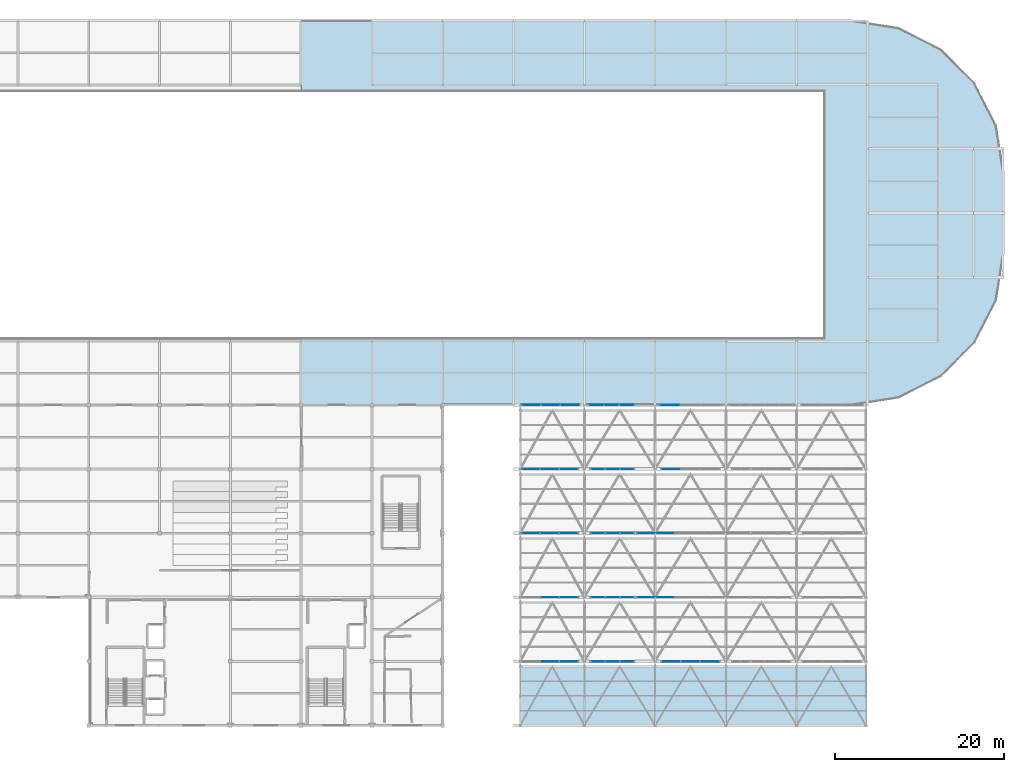
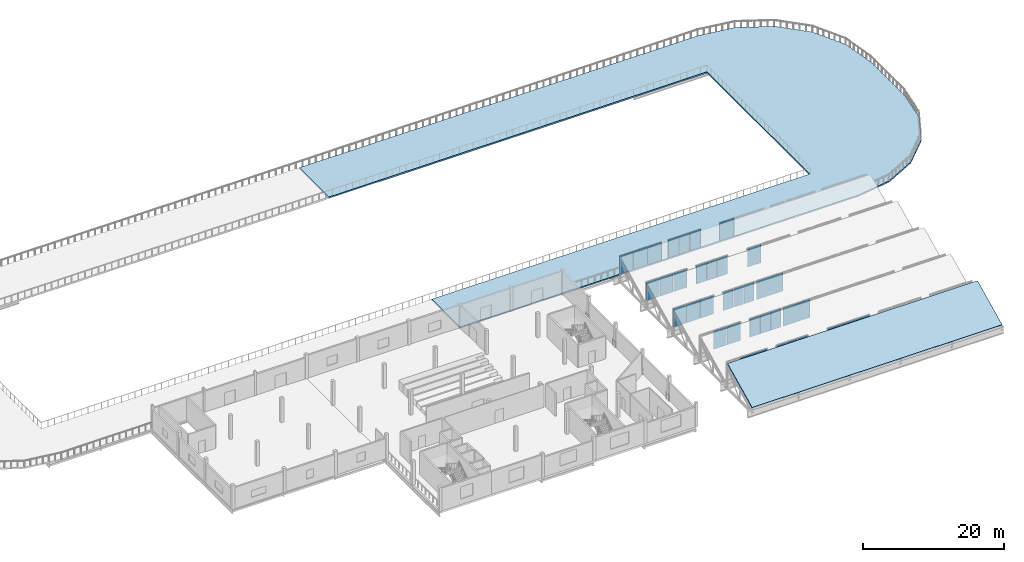
# One storey, part 40 of 57: 35 plates, 2 slabs, 15 elements without a shape of their own.
"""IFC4 building model written with IfcOpenShell, lengths in metres."""

from ifc_helpers import new_model, si_unit, direction, frame, origin, origin_2d, place, context, subcontext, project, spatial, polyline, rectangle, outline, extrude, material, layer, layer_set, type_object, element, aggregate, save


model = new_model("IFC4")

# Units and contexts
model_context = context("Model", 3, precision=1e-05, world=origin(), true_north=direction((0.0, 1.0)))
body_context = subcontext(model_context, "Body", "Model", "MODEL_VIEW")
ifc_project = project(units=[si_unit("LENGTHUNIT", "METRE"), si_unit("AREAUNIT", "SQUARE_METRE"), si_unit("VOLUMEUNIT", "CUBIC_METRE"), si_unit("PLANEANGLEUNIT", "RADIAN"), si_unit("MASSUNIT", "GRAM", prefix="KILO")], contexts=[model_context])

# Site, building, storey
site_placement = place(None, origin())
site = spatial("IfcSite", under=ifc_project, at=site_placement, CompositionType="ELEMENT")
building_placement = place(site_placement, origin())
building = spatial("IfcBuilding", under=site, at=building_placement, Name="Zuvorla Pavilion Media Centre", CompositionType="ELEMENT")
storey_placement = place(building_placement, frame((0.0, 0.0, 18.0)))
storey = spatial("IfcBuildingStorey", under=building, at=storey_placement, Name="L04", CompositionType="ELEMENT", Elevation=18.0)

# Curtain wall, plates
ifc_material_1 = material(Name="Unitised anodised aluminium and solar glass curtain wall", Category="aluminium")
curtain_wall_type_1 = type_object("IfcCurtainWallType", Name="CW-SYS-90", PredefinedType="USERDEFINED", material=ifc_material_1)
curtain_wall_1_placement = place(storey_placement, origin())
curtain_wall_1 = element("IfcCurtainWall", 1, at=curtain_wall_1_placement, inside=storey, type_object=curtain_wall_type_1, Name="L04 curtain wall CW90 224", ObjectType="CURTAIN WALL", PredefinedType="USERDEFINED")
ifc_material_2 = material(Name="Triple acoustic broadcast glazing", Category="glass")
ifc_layer_1 = layer(ifc_material_2, 0.0419921875)
ifc_layer_set_1 = layer_set([ifc_layer_1], Name="Triple acoustic broadcast glazing")
plate_type = type_object("IfcPlateType", Name="CW-PNL-42", PredefinedType="CURTAIN_PANEL", material=ifc_layer_set_1)
plate_1_placement = place(storey_placement, frame((121.5078125, 13.60009765625, 0.0302734375), z_axis=(0.0, 0.0, 1.0), x_axis=(1.0, 0.0, 0.0)))
plate_1 = element("IfcPlate", 2, at=plate_1_placement, type_object=plate_type, Name="CW90 panel 2.1", PredefinedType="CURTAIN_PANEL", context=body_context, shape_type="SweptSolid", body=[
    extrude(rectangle(XDim=2.171875, YDim=0.0419921875, at=origin_2d()), origin(), (0.0, 0.0, 1.0), 3.159912109375),
])
plate_2_placement = place(storey_placement, frame((123.73974609375, 13.60009765625, 0.0302734375), z_axis=(0.0, 0.0, 1.0), x_axis=(1.0, 0.0, 0.0)))
plate_2 = element("IfcPlate", 3, at=plate_2_placement, type_object=plate_type, Name="CW90 panel 3.1", PredefinedType="CURTAIN_PANEL", context=body_context, shape_type="SweptSolid", body=[
    extrude(rectangle(XDim=2.171875, YDim=0.0419921875, at=origin_2d()), origin(), (0.0, 0.0, 1.0), 3.159912109375),
])
aggregate(curtain_wall_1, [plate_1, plate_2])

curtain_wall_type_2 = type_object("IfcCurtainWallType", Name="CW-SYS-91", PredefinedType="USERDEFINED", material=ifc_material_1)
curtain_wall_2_placement = place(storey_placement, origin())
curtain_wall_2 = element("IfcCurtainWall", 4, at=curtain_wall_2_placement, inside=storey, type_object=curtain_wall_type_2, Name="L04 curtain wall CW91 225", ObjectType="CURTAIN WALL", PredefinedType="USERDEFINED")
plate_3_placement = place(storey_placement, frame((127.20458984375, 13.60009765625, 0.0302734375), z_axis=(0.0, 0.0, 1.0), x_axis=(1.0, 0.0, 0.0)))
plate_3 = element("IfcPlate", 5, at=plate_3_placement, type_object=plate_type, Name="CW91 panel 1.1", PredefinedType="CURTAIN_PANEL", context=body_context, shape_type="SweptSolid", body=[
    extrude(rectangle(XDim=1.660888671875, YDim=0.0419921875, at=origin_2d()), origin(), (0.0, 0.0, 1.0), 3.159912109375),
])
plate_4_placement = place(storey_placement, frame((128.925537109375, 13.60009765625, 0.0302734375), z_axis=(0.0, 0.0, 1.0), x_axis=(1.0, 0.0, 0.0)))
plate_4 = element("IfcPlate", 6, at=plate_4_placement, type_object=plate_type, Name="CW91 panel 2.1", PredefinedType="CURTAIN_PANEL", context=body_context, shape_type="SweptSolid", body=[
    extrude(rectangle(XDim=1.660888671875, YDim=0.0419921875, at=origin_2d()), origin(), (0.0, 0.0, 1.0), 3.159912109375),
])
plate_5_placement = place(storey_placement, frame((130.646240234375, 13.60009765625, 0.0302734375), z_axis=(0.0, 0.0, 1.0), x_axis=(1.0, 0.0, 0.0)))
plate_5 = element("IfcPlate", 7, at=plate_5_placement, type_object=plate_type, Name="CW91 panel 3.1", PredefinedType="CURTAIN_PANEL", context=body_context, shape_type="SweptSolid", body=[
    extrude(rectangle(XDim=1.660888671875, YDim=0.0419921875, at=origin_2d()), origin(), (0.0, 0.0, 1.0), 3.159912109375),
])
aggregate(curtain_wall_2, [plate_3, plate_4, plate_5])

curtain_wall_type_3 = type_object("IfcCurtainWallType", Name="CW-SYS-92", PredefinedType="USERDEFINED", material=ifc_material_1)
curtain_wall_3_placement = place(storey_placement, origin())
curtain_wall_3 = element("IfcCurtainWall", 8, at=curtain_wall_3_placement, inside=storey, type_object=curtain_wall_type_3, Name="L04 curtain wall CW92 226", ObjectType="CURTAIN WALL", PredefinedType="USERDEFINED")
plate_6_placement = place(storey_placement, frame((135.896240234375, 13.60009765625, 0.0302734375), z_axis=(0.0, 0.0, 1.0), x_axis=(1.0, 0.0, 0.0)))
plate_6 = element("IfcPlate", 9, at=plate_6_placement, type_object=plate_type, Name="CW92 panel 1.1", PredefinedType="CURTAIN_PANEL", context=body_context, shape_type="SweptSolid", body=[
    extrude(rectangle(XDim=2.243896484375, YDim=0.0419921875, at=origin_2d()), origin(), (0.0, 0.0, 1.0), 3.159912109375),
])
plate_7_placement = place(storey_placement, frame((138.199951171875, 13.60009765625, 0.0302734375), z_axis=(0.0, 0.0, 1.0), x_axis=(1.0, 0.0, 0.0)))
plate_7 = element("IfcPlate", 10, at=plate_7_placement, type_object=plate_type, Name="CW92 panel 2.1", PredefinedType="CURTAIN_PANEL", context=body_context, shape_type="SweptSolid", body=[
    extrude(rectangle(XDim=2.243896484375, YDim=0.0419921875, at=origin_2d()), origin(), (0.0, 0.0, 1.0), 3.159912109375),
])
plate_8_placement = place(storey_placement, frame((140.50390625, 13.60009765625, 0.0302734375), z_axis=(0.0, 0.0, 1.0), x_axis=(1.0, 0.0, 0.0)))
plate_8 = element("IfcPlate", 11, at=plate_8_placement, type_object=plate_type, Name="CW92 panel 3.1", PredefinedType="CURTAIN_PANEL", context=body_context, shape_type="SweptSolid", body=[
    extrude(rectangle(XDim=2.243896484375, YDim=0.0419921875, at=origin_2d()), origin(), (0.0, 0.0, 1.0), 3.159912109375),
])
aggregate(curtain_wall_3, [plate_6, plate_7, plate_8])

curtain_wall_4_placement = place(storey_placement, origin())
curtain_wall_4 = element("IfcCurtainWall", 12, at=curtain_wall_4_placement, inside=storey, type_object=curtain_wall_type_1, Name="L04 curtain wall CW90 230", ObjectType="CURTAIN WALL", PredefinedType="USERDEFINED")
plate_9_placement = place(storey_placement, frame((121.5078125, 21.199951171875, 0.0302734375), z_axis=(0.0, 0.0, 1.0), x_axis=(1.0, 0.0, 0.0)))
plate_9 = element("IfcPlate", 13, at=plate_9_placement, type_object=plate_type, Name="CW90 panel 2.1", PredefinedType="CURTAIN_PANEL", context=body_context, shape_type="SweptSolid", body=[
    extrude(rectangle(XDim=2.171875, YDim=0.0419921875, at=origin_2d()), origin(), (0.0, 0.0, 1.0), 3.159912109375),
])
plate_10_placement = place(storey_placement, frame((123.73974609375, 21.199951171875, 0.0302734375), z_axis=(0.0, 0.0, 1.0), x_axis=(1.0, 0.0, 0.0)))
plate_10 = element("IfcPlate", 14, at=plate_10_placement, type_object=plate_type, Name="CW90 panel 3.1", PredefinedType="CURTAIN_PANEL", context=body_context, shape_type="SweptSolid", body=[
    extrude(rectangle(XDim=2.171875, YDim=0.0419921875, at=origin_2d()), origin(), (0.0, 0.0, 1.0), 3.159912109375),
])
aggregate(curtain_wall_4, [plate_9, plate_10])

curtain_wall_5_placement = place(storey_placement, origin())
curtain_wall_5 = element("IfcCurtainWall", 15, at=curtain_wall_5_placement, inside=storey, type_object=curtain_wall_type_2, Name="L04 curtain wall CW91 231", ObjectType="CURTAIN WALL", PredefinedType="USERDEFINED")
plate_11_placement = place(storey_placement, frame((127.20458984375, 21.199951171875, 0.0302734375), z_axis=(0.0, 0.0, 1.0), x_axis=(1.0, 0.0, 0.0)))
plate_11 = element("IfcPlate", 16, at=plate_11_placement, type_object=plate_type, Name="CW91 panel 1.1", PredefinedType="CURTAIN_PANEL", context=body_context, shape_type="SweptSolid", body=[
    extrude(rectangle(XDim=1.660888671875, YDim=0.0419921875, at=origin_2d()), origin(), (0.0, 0.0, 1.0), 3.159912109375),
])
plate_12_placement = place(storey_placement, frame((128.925537109375, 21.199951171875, 0.0302734375), z_axis=(0.0, 0.0, 1.0), x_axis=(1.0, 0.0, 0.0)))
plate_12 = element("IfcPlate", 17, at=plate_12_placement, type_object=plate_type, Name="CW91 panel 2.1", PredefinedType="CURTAIN_PANEL", context=body_context, shape_type="SweptSolid", body=[
    extrude(rectangle(XDim=1.660888671875, YDim=0.0419921875, at=origin_2d()), origin(), (0.0, 0.0, 1.0), 3.159912109375),
])
plate_13_placement = place(storey_placement, frame((130.646240234375, 21.199951171875, 0.0302734375), z_axis=(0.0, 0.0, 1.0), x_axis=(1.0, 0.0, 0.0)))
plate_13 = element("IfcPlate", 18, at=plate_13_placement, type_object=plate_type, Name="CW91 panel 3.1", PredefinedType="CURTAIN_PANEL", context=body_context, shape_type="SweptSolid", body=[
    extrude(rectangle(XDim=1.660888671875, YDim=0.0419921875, at=origin_2d()), origin(), (0.0, 0.0, 1.0), 3.159912109375),
])
aggregate(curtain_wall_5, [plate_11, plate_12, plate_13])

# Curtain wall, plate
curtain_wall_type_4 = type_object("IfcCurtainWallType", Name="CW-SYS-95", PredefinedType="USERDEFINED", material=ifc_material_1)
curtain_wall_6_placement = place(storey_placement, origin())
curtain_wall_6 = element("IfcCurtainWall", 19, at=curtain_wall_6_placement, inside=storey, type_object=curtain_wall_type_4, Name="L04 curtain wall CW95 232", ObjectType="CURTAIN WALL", PredefinedType="USERDEFINED")
plate_14_placement = place(storey_placement, frame((134.051025390625, 21.199951171875, 0.0302734375), z_axis=(0.0, 0.0, 1.0), x_axis=(1.0, 0.0, 0.0)))
plate_14 = element("IfcPlate", 20, at=plate_14_placement, type_object=plate_type, Name="CW95 panel 1.1", PredefinedType="CURTAIN_PANEL", context=body_context, shape_type="SweptSolid", body=[
    extrude(rectangle(XDim=4.388916015625, YDim=0.0419921875, at=origin_2d()), origin(), (0.0, 0.0, 1.0), 3.159912109375),
])
aggregate(curtain_wall_6, [plate_14])

# Curtain wall, plates
curtain_wall_7_placement = place(storey_placement, origin())
curtain_wall_7 = element("IfcCurtainWall", 21, at=curtain_wall_7_placement, inside=storey, type_object=curtain_wall_type_1, Name="L04 curtain wall CW90 235", ObjectType="CURTAIN WALL", PredefinedType="USERDEFINED")
plate_15_placement = place(storey_placement, frame((119.27587890625, 28.800048828125, 0.0302734375), z_axis=(0.0, 0.0, 1.0), x_axis=(1.0, 0.0, 0.0)))
plate_15 = element("IfcPlate", 22, at=plate_15_placement, type_object=plate_type, Name="CW90 panel 1.1", PredefinedType="CURTAIN_PANEL", context=body_context, shape_type="SweptSolid", body=[
    extrude(rectangle(XDim=2.171875, YDim=0.0419921875, at=origin_2d()), origin(), (0.0, 0.0, 1.0), 3.159912109375),
])
plate_16_placement = place(storey_placement, frame((121.5078125, 28.800048828125, 0.0302734375), z_axis=(0.0, 0.0, 1.0), x_axis=(1.0, 0.0, 0.0)))
plate_16 = element("IfcPlate", 23, at=plate_16_placement, type_object=plate_type, Name="CW90 panel 2.1", PredefinedType="CURTAIN_PANEL", context=body_context, shape_type="SweptSolid", body=[
    extrude(rectangle(XDim=2.171875, YDim=0.0419921875, at=origin_2d()), origin(), (0.0, 0.0, 1.0), 3.159912109375),
])
plate_17_placement = place(storey_placement, frame((123.73974609375, 28.800048828125, 0.0302734375), z_axis=(0.0, 0.0, 1.0), x_axis=(1.0, 0.0, 0.0)))
plate_17 = element("IfcPlate", 24, at=plate_17_placement, type_object=plate_type, Name="CW90 panel 3.1", PredefinedType="CURTAIN_PANEL", context=body_context, shape_type="SweptSolid", body=[
    extrude(rectangle(XDim=2.171875, YDim=0.0419921875, at=origin_2d()), origin(), (0.0, 0.0, 1.0), 3.159912109375),
])
aggregate(curtain_wall_7, [plate_15, plate_16, plate_17])

curtain_wall_8_placement = place(storey_placement, origin())
curtain_wall_8 = element("IfcCurtainWall", 25, at=curtain_wall_8_placement, inside=storey, type_object=curtain_wall_type_2, Name="L04 curtain wall CW91 236", ObjectType="CURTAIN WALL", PredefinedType="USERDEFINED")
plate_18_placement = place(storey_placement, frame((127.20458984375, 28.800048828125, 0.0302734375), z_axis=(0.0, 0.0, 1.0), x_axis=(1.0, 0.0, 0.0)))
plate_18 = element("IfcPlate", 26, at=plate_18_placement, type_object=plate_type, Name="CW91 panel 1.1", PredefinedType="CURTAIN_PANEL", context=body_context, shape_type="SweptSolid", body=[
    extrude(rectangle(XDim=1.660888671875, YDim=0.0419921875, at=origin_2d()), origin(), (0.0, 0.0, 1.0), 3.159912109375),
])
plate_19_placement = place(storey_placement, frame((128.925537109375, 28.800048828125, 0.0302734375), z_axis=(0.0, 0.0, 1.0), x_axis=(1.0, 0.0, 0.0)))
plate_19 = element("IfcPlate", 27, at=plate_19_placement, type_object=plate_type, Name="CW91 panel 2.1", PredefinedType="CURTAIN_PANEL", context=body_context, shape_type="SweptSolid", body=[
    extrude(rectangle(XDim=1.660888671875, YDim=0.0419921875, at=origin_2d()), origin(), (0.0, 0.0, 1.0), 3.159912109375),
])
plate_20_placement = place(storey_placement, frame((130.646240234375, 28.800048828125, 0.0302734375), z_axis=(0.0, 0.0, 1.0), x_axis=(1.0, 0.0, 0.0)))
plate_20 = element("IfcPlate", 28, at=plate_20_placement, type_object=plate_type, Name="CW91 panel 3.1", PredefinedType="CURTAIN_PANEL", context=body_context, shape_type="SweptSolid", body=[
    extrude(rectangle(XDim=1.660888671875, YDim=0.0419921875, at=origin_2d()), origin(), (0.0, 0.0, 1.0), 3.159912109375),
])
aggregate(curtain_wall_8, [plate_18, plate_19, plate_20])

# Curtain wall, plate
curtain_wall_9_placement = place(storey_placement, origin())
curtain_wall_9 = element("IfcCurtainWall", 29, at=curtain_wall_9_placement, inside=storey, type_object=curtain_wall_type_4, Name="L04 curtain wall CW95 237", ObjectType="CURTAIN WALL", PredefinedType="USERDEFINED")
plate_21_placement = place(storey_placement, frame((134.051025390625, 28.800048828125, 0.0302734375), z_axis=(0.0, 0.0, 1.0), x_axis=(1.0, 0.0, 0.0)))
plate_21 = element("IfcPlate", 30, at=plate_21_placement, type_object=plate_type, Name="CW95 panel 1.1", PredefinedType="CURTAIN_PANEL", context=body_context, shape_type="SweptSolid", body=[
    extrude(rectangle(XDim=4.388916015625, YDim=0.0419921875, at=origin_2d()), origin(), (0.0, 0.0, 1.0), 3.159912109375),
])
aggregate(curtain_wall_9, [plate_21])

# Curtain wall, plates
curtain_wall_10_placement = place(storey_placement, origin())
curtain_wall_10 = element("IfcCurtainWall", 31, at=curtain_wall_10_placement, inside=storey, type_object=curtain_wall_type_1, Name="L04 curtain wall CW90 240", ObjectType="CURTAIN WALL", PredefinedType="USERDEFINED")
plate_22_placement = place(storey_placement, frame((119.27587890625, 36.39990234375, 0.0302734375), z_axis=(0.0, 0.0, 1.0), x_axis=(1.0, 0.0, 0.0)))
plate_22 = element("IfcPlate", 32, at=plate_22_placement, type_object=plate_type, Name="CW90 panel 1.1", PredefinedType="CURTAIN_PANEL", context=body_context, shape_type="SweptSolid", body=[
    extrude(rectangle(XDim=2.171875, YDim=0.0419921875, at=origin_2d()), origin(), (0.0, 0.0, 1.0), 3.159912109375),
])
plate_23_placement = place(storey_placement, frame((121.5078125, 36.39990234375, 0.0302734375), z_axis=(0.0, 0.0, 1.0), x_axis=(1.0, 0.0, 0.0)))
plate_23 = element("IfcPlate", 33, at=plate_23_placement, type_object=plate_type, Name="CW90 panel 2.1", PredefinedType="CURTAIN_PANEL", context=body_context, shape_type="SweptSolid", body=[
    extrude(rectangle(XDim=2.171875, YDim=0.0419921875, at=origin_2d()), origin(), (0.0, 0.0, 1.0), 3.159912109375),
])
plate_24_placement = place(storey_placement, frame((123.73974609375, 36.39990234375, 0.0302734375), z_axis=(0.0, 0.0, 1.0), x_axis=(1.0, 0.0, 0.0)))
plate_24 = element("IfcPlate", 34, at=plate_24_placement, type_object=plate_type, Name="CW90 panel 3.1", PredefinedType="CURTAIN_PANEL", context=body_context, shape_type="SweptSolid", body=[
    extrude(rectangle(XDim=2.171875, YDim=0.0419921875, at=origin_2d()), origin(), (0.0, 0.0, 1.0), 3.159912109375),
])
aggregate(curtain_wall_10, [plate_22, plate_23, plate_24])

curtain_wall_11_placement = place(storey_placement, origin())
curtain_wall_11 = element("IfcCurtainWall", 35, at=curtain_wall_11_placement, inside=storey, type_object=curtain_wall_type_2, Name="L04 curtain wall CW91 241", ObjectType="CURTAIN WALL", PredefinedType="USERDEFINED")
plate_25_placement = place(storey_placement, frame((127.20458984375, 36.39990234375, 0.0302734375), z_axis=(0.0, 0.0, 1.0), x_axis=(1.0, 0.0, 0.0)))
plate_25 = element("IfcPlate", 36, at=plate_25_placement, type_object=plate_type, Name="CW91 panel 1.1", PredefinedType="CURTAIN_PANEL", context=body_context, shape_type="SweptSolid", body=[
    extrude(rectangle(XDim=1.660888671875, YDim=0.0419921875, at=origin_2d()), origin(), (0.0, 0.0, 1.0), 3.159912109375),
])
plate_26_placement = place(storey_placement, frame((128.925537109375, 36.39990234375, 0.0302734375), z_axis=(0.0, 0.0, 1.0), x_axis=(1.0, 0.0, 0.0)))
plate_26 = element("IfcPlate", 37, at=plate_26_placement, type_object=plate_type, Name="CW91 panel 2.1", PredefinedType="CURTAIN_PANEL", context=body_context, shape_type="SweptSolid", body=[
    extrude(rectangle(XDim=1.660888671875, YDim=0.0419921875, at=origin_2d()), origin(), (0.0, 0.0, 1.0), 3.159912109375),
])
plate_27_placement = place(storey_placement, frame((130.646240234375, 36.39990234375, 0.0302734375), z_axis=(0.0, 0.0, 1.0), x_axis=(1.0, 0.0, 0.0)))
plate_27 = element("IfcPlate", 38, at=plate_27_placement, type_object=plate_type, Name="CW91 panel 3.1", PredefinedType="CURTAIN_PANEL", context=body_context, shape_type="SweptSolid", body=[
    extrude(rectangle(XDim=1.660888671875, YDim=0.0419921875, at=origin_2d()), origin(), (0.0, 0.0, 1.0), 3.159912109375),
])
aggregate(curtain_wall_11, [plate_25, plate_26, plate_27])

# Curtain wall, plate
curtain_wall_12_placement = place(storey_placement, origin())
curtain_wall_12 = element("IfcCurtainWall", 39, at=curtain_wall_12_placement, inside=storey, type_object=curtain_wall_type_3, Name="L04 curtain wall CW92 242", ObjectType="CURTAIN WALL", PredefinedType="USERDEFINED")
plate_28_placement = place(storey_placement, frame((135.896240234375, 36.39990234375, 0.0302734375), z_axis=(0.0, 0.0, 1.0), x_axis=(1.0, 0.0, 0.0)))
plate_28 = element("IfcPlate", 40, at=plate_28_placement, type_object=plate_type, Name="CW92 panel 1.1", PredefinedType="CURTAIN_PANEL", context=body_context, shape_type="SweptSolid", body=[
    extrude(rectangle(XDim=2.243896484375, YDim=0.0419921875, at=origin_2d()), origin(), (0.0, 0.0, 1.0), 3.159912109375),
])
aggregate(curtain_wall_12, [plate_28])

# Curtain wall, plates
curtain_wall_13_placement = place(storey_placement, origin())
curtain_wall_13 = element("IfcCurtainWall", 41, at=curtain_wall_13_placement, inside=storey, type_object=curtain_wall_type_3, Name="L04 curtain wall CW92 246", ObjectType="CURTAIN WALL", PredefinedType="USERDEFINED")
plate_29_placement = place(storey_placement, frame((119.3095703125, 44.0, 0.0302734375), z_axis=(0.0, 0.0, 1.0), x_axis=(1.0, 0.0, 0.0)))
plate_29 = element("IfcPlate", 42, at=plate_29_placement, type_object=plate_type, Name="CW92 panel 1.1", PredefinedType="CURTAIN_PANEL", context=body_context, shape_type="SweptSolid", body=[
    extrude(rectangle(XDim=2.239013671875, YDim=0.0419921875, at=origin_2d()), origin(), (0.0, 0.0, 1.0), 3.159912109375),
])
plate_30_placement = place(storey_placement, frame((121.608642578125, 44.0, 0.0302734375), z_axis=(0.0, 0.0, 1.0), x_axis=(1.0, 0.0, 0.0)))
plate_30 = element("IfcPlate", 43, at=plate_30_placement, type_object=plate_type, Name="CW92 panel 2.1", PredefinedType="CURTAIN_PANEL", context=body_context, shape_type="SweptSolid", body=[
    extrude(rectangle(XDim=2.239013671875, YDim=0.0419921875, at=origin_2d()), origin(), (0.0, 0.0, 1.0), 3.159912109375),
])
plate_31_placement = place(storey_placement, frame((123.90771484375, 44.0, 0.0302734375), z_axis=(0.0, 0.0, 1.0), x_axis=(1.0, 0.0, 0.0)))
plate_31 = element("IfcPlate", 44, at=plate_31_placement, type_object=plate_type, Name="CW92 panel 3.1", PredefinedType="CURTAIN_PANEL", context=body_context, shape_type="SweptSolid", body=[
    extrude(rectangle(XDim=2.239013671875, YDim=0.0419921875, at=origin_2d()), origin(), (0.0, 0.0, 1.0), 3.159912109375),
])
aggregate(curtain_wall_13, [plate_29, plate_30, plate_31])

curtain_wall_type_5 = type_object("IfcCurtainWallType", Name="CW-SYS-96", PredefinedType="USERDEFINED", material=ifc_material_1)
curtain_wall_14_placement = place(storey_placement, origin())
curtain_wall_14 = element("IfcCurtainWall", 45, at=curtain_wall_14_placement, inside=storey, type_object=curtain_wall_type_5, Name="L04 curtain wall CW96 247", ObjectType="CURTAIN WALL", PredefinedType="USERDEFINED")
plate_32_placement = place(storey_placement, frame((127.03662109375, 44.0, 0.0302734375), z_axis=(0.0, 0.0, 1.0), x_axis=(1.0, 0.0, 0.0)))
plate_32 = element("IfcPlate", 46, at=plate_32_placement, type_object=plate_type, Name="CW96 panel 1.1", PredefinedType="CURTAIN_PANEL", context=body_context, shape_type="SweptSolid", body=[
    extrude(rectangle(XDim=1.72802734375, YDim=0.0419921875, at=origin_2d()), origin(), (0.0, 0.0, 1.0), 3.159912109375),
])
plate_33_placement = place(storey_placement, frame((128.82470703125, 44.0, 0.0302734375), z_axis=(0.0, 0.0, 1.0), x_axis=(1.0, 0.0, 0.0)))
plate_33 = element("IfcPlate", 47, at=plate_33_placement, type_object=plate_type, Name="CW96 panel 2.1", PredefinedType="CURTAIN_PANEL", context=body_context, shape_type="SweptSolid", body=[
    extrude(rectangle(XDim=1.72802734375, YDim=0.0419921875, at=origin_2d()), origin(), (0.0, 0.0, 1.0), 3.159912109375),
])
plate_34_placement = place(storey_placement, frame((130.61279296875, 44.0, 0.0302734375), z_axis=(0.0, 0.0, 1.0), x_axis=(1.0, 0.0, 0.0)))
plate_34 = element("IfcPlate", 48, at=plate_34_placement, type_object=plate_type, Name="CW96 panel 3.1", PredefinedType="CURTAIN_PANEL", context=body_context, shape_type="SweptSolid", body=[
    extrude(rectangle(XDim=1.72802734375, YDim=0.0419921875, at=origin_2d()), origin(), (0.0, 0.0, 1.0), 3.159912109375),
])
aggregate(curtain_wall_14, [plate_32, plate_33, plate_34])

# Curtain wall, plate
curtain_wall_type_6 = type_object("IfcCurtainWallType", Name="CW-SYS-97", PredefinedType="USERDEFINED", material=ifc_material_1)
curtain_wall_15_placement = place(storey_placement, origin())
curtain_wall_15 = element("IfcCurtainWall", 49, at=curtain_wall_15_placement, inside=storey, type_object=curtain_wall_type_6, Name="L04 curtain wall CW97 248", ObjectType="CURTAIN WALL", PredefinedType="USERDEFINED")
plate_35_placement = place(storey_placement, frame((135.76171875, 44.0, 0.0302734375), z_axis=(0.0, 0.0, 1.0), x_axis=(1.0, 0.0, 0.0)))
plate_35 = element("IfcPlate", 50, at=plate_35_placement, type_object=plate_type, Name="CW97 panel 1.1", PredefinedType="CURTAIN_PANEL", context=body_context, shape_type="SweptSolid", body=[
    extrude(rectangle(XDim=2.378173828125, YDim=0.0419921875, at=origin_2d()), origin(), (0.0, 0.0, 1.0), 3.159912109375),
])
aggregate(curtain_wall_15, [plate_35])

# Slabs
ifc_material_3 = material(Name="Precast concrete C40/50", Category="concrete")
ifc_layer_2 = layer(ifc_material_3, 0.239990234375)
ifc_layer_set_2 = layer_set([ifc_layer_2], Name="Precast concrete C40/50")
slab_type_1 = type_object("IfcSlabType", Name="SLB-DECK-240", PredefinedType="FLOOR", material=ifc_layer_set_2)
slab_1_placement = place(storey_placement, frame((0.0, 0.0, -0.239990234375)))
element("IfcSlab", 51, at=slab_1_placement, inside=storey, type_object=slab_type_1, Name="L04 floor slab RINGDECK", PredefinedType="FLOOR", context=body_context, shape_type="SweptSolid", body=[
    extrude(outline(polyline([(157.39990234375, 89.60009765625), (162.96240234375, 88.718994140625), (167.97998046875, 86.162353515625), (171.96240234375, 82.18017578125), (174.51904296875, 77.162353515625), (175.39990234375, 71.60009765625), (175.39990234375, 62.0), (174.51904296875, 56.437744140625), (171.96240234375, 51.419921875), (167.97998046875, 47.437744140625), (162.96240234375, 44.881103515625), (157.39990234375, 44.0), (92.0, 44.0), (92.0, 52.0), (154.0, 52.0), (154.0, 81.199951171875), (92.0, 81.199951171875), (92.0, 89.60009765625), (157.39990234375, 89.60009765625)])), origin(), (0.0, 0.0, 1.0), 0.239990234375),
])
ifc_material_4 = material(Name="Concrete C32/40", Category="concrete")
ifc_layer_3 = layer(ifc_material_4, 0.159912109375)
ifc_layer_set_3 = layer_set([ifc_layer_3], Name="Concrete C32/40")
slab_type_2 = type_object("IfcSlabType", Name="SLB-ROOF-160", PredefinedType="ROOF", material=ifc_layer_set_3)
slab_2_placement = place(storey_placement, frame((118.0, 6.0, 0.0), z_axis=(0.0, -0.436893809117, 0.899513090263), x_axis=(1.0, 0.0, 0.0)))
element("IfcSlab", 52, at=slab_2_placement, inside=storey, type_object=slab_type_2, Name="L04 sawtooth roof slab PRM bay 1", PredefinedType="ROOF", context=body_context, shape_type="SweptSolid", body=[
    extrude(outline(polyline([(0.0, 0.0), (41.0, 0.0), (41.0, 7.781987917430658), (0.0, 7.781987917430658), (0.0, 0.0)])), origin(), (0.0, 0.0, -1.0), 0.159912109375),
])

save(model, "model.ifc")
